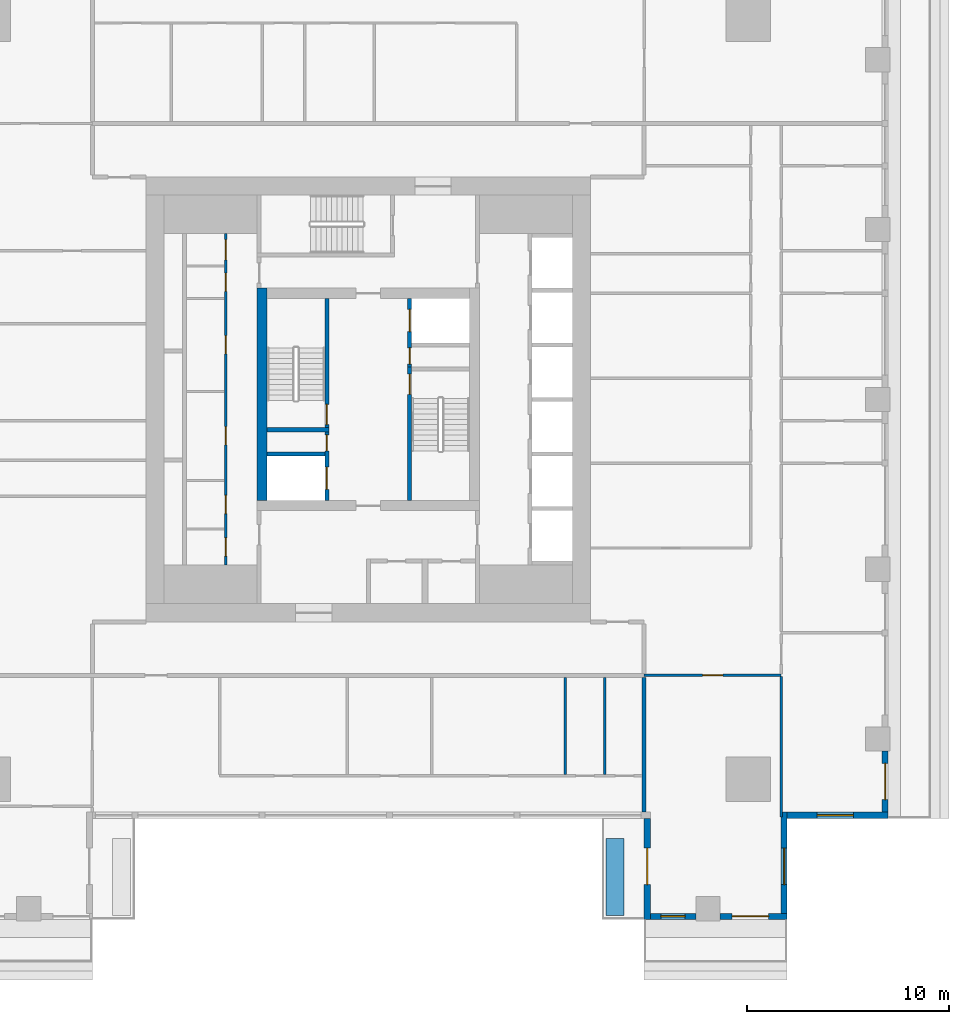
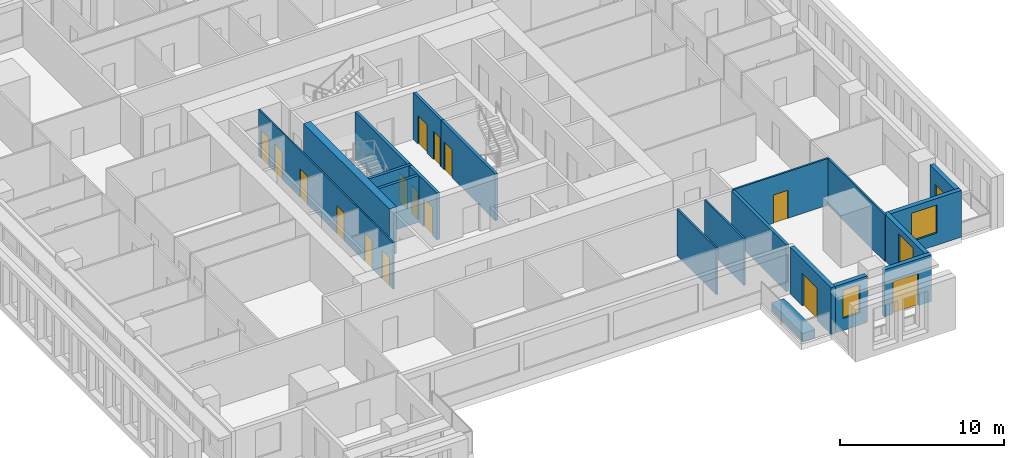
# One storey, part 4 of 14: 20 walls, 16 doors, 3 windows, 19 openings.
"""IFC4 building model written with IfcOpenShell, lengths in metres."""

from ifc_helpers import new_model, si_unit, direction, frame, frame_2d, origin, place, context, subcontext, project, spatial, rectangle, extrude, material, layer, layer_set, type_object, element, fill, save


model = new_model("IFC4")

# Units and contexts
model_context = context("Model", 3, precision=1e-05, world=origin(), true_north=direction((0.0, 1.0)))
body_context = subcontext(model_context, "Body", "Model", "MODEL_VIEW")
ifc_project = project(units=[si_unit("LENGTHUNIT", "METRE"), si_unit("AREAUNIT", "SQUARE_METRE"), si_unit("VOLUMEUNIT", "CUBIC_METRE"), si_unit("PLANEANGLEUNIT", "RADIAN"), si_unit("MASSUNIT", "GRAM", prefix="KILO")], contexts=[model_context])

# Site, building, storey
site_placement = place(None, origin())
site = spatial("IfcSite", under=ifc_project, at=site_placement, CompositionType="ELEMENT")
building_placement = place(site_placement, origin())
building = spatial("IfcBuilding", under=site, at=building_placement, Name="Khepri Terraces", CompositionType="ELEMENT")
storey_placement = place(building_placement, frame((0.0, 0.0, 279.60009765625)))
storey = spatial("IfcBuildingStorey", under=building, at=storey_placement, Name="L67", CompositionType="ELEMENT", Elevation=279.60009765625)

# Wall, opening, door
ifc_material_1 = material(Name="Concrete C40/50", Category="concrete")
ifc_layer_1 = layer(ifc_material_1, 0.199951171875, Name="Concrete C40/50", Category="concrete")
ifc_layer_set_1 = layer_set([ifc_layer_1], Name="Concrete C40/50")
wall_type_1 = type_object("IfcWallType", Name="Core wall 200 C40/50", PredefinedType="SHEAR", material=ifc_layer_set_1)
wall_1_placement = place(storey_placement, frame((2.050048828125, -5.0, 0.0), z_axis=(0.0, 0.0, 1.0), x_axis=(0.0, 1.0, 0.0)))
wall_1 = element("IfcWall", 1, at=wall_1_placement, inside=storey, type_object=wall_type_1, Name="Core wall ST01 L67", PredefinedType="SHEAR", context=body_context, shape_type="SweptSolid", body=[
    extrude(rectangle(XDim=6.60009765625, YDim=0.199951171875, at=frame_2d((3.300048828125, 0.0))), origin(), (0.0, 0.0, 1.0), 3.47998046875),
])
opening_1_placement = place(wall_1_placement, frame((5.25, 0.0, 0.0)))
opening_1 = element("IfcOpeningElement", 2, at=opening_1_placement, cuts=wall_1, Name="Opening L67-C10", PredefinedType="OPENING", context=body_context, shape_type="SweptSolid", body=[
    extrude(rectangle(XDim=1.0, YDim=2.10009765625, at=frame_2d((0.5, 1.050048828125))), frame((0.0, 0.10986328125, 0.0), z_axis=(0.0, -1.0, 0.0), x_axis=(1.0, 0.0, 0.0)), (0.0, 0.0, 1.0), 0.219970703125),
])
ifc_material_2 = material(Name="Painted steel", Category="steel")
door_type_1 = type_object("IfcDoorType", Name="DR-CORE-STAIR-1000", OperationType="NOTDEFINED", PredefinedType="DOOR", material=ifc_material_2)
door_1_placement = place(opening_1_placement, frame((1.0, 0.0, 0.0), z_axis=(0.0, 0.0, 1.0), x_axis=(-1.0, 0.0, 0.0)))
door_1 = element("IfcDoor", 3, at=door_1_placement, inside=storey, type_object=door_type_1, Name="Stair door L67-C10", OperationType="SINGLE_SWING_LEFT", OverallHeight=2.10009765625, OverallWidth=1.0, PredefinedType="DOOR", context=body_context, shape_type="SweptSolid", body=[
    extrude(rectangle(XDim=1.0, YDim=2.10009765625, at=frame_2d((0.5, 1.050048828125))), frame((0.0, 0.02490234375, 0.0), z_axis=(0.0, -1.0, 0.0), x_axis=(1.0, 0.0, 0.0)), (0.0, 0.0, 1.0), 0.050048828125),
])
fill(opening_1, door_1)

# Wall
wall_2_placement = place(storey_placement, frame((-5.0, -1.5, 0.0), z_axis=(0.0, 0.0, 1.0), x_axis=(1.0, 0.0, 0.0)))
element("IfcWall", 4, at=wall_2_placement, inside=storey, type_object=wall_type_1, Name="Core wall ST02 L67", PredefinedType="SHEAR", context=body_context, shape_type="SweptSolid", body=[
    extrude(rectangle(XDim=3.050048828125, YDim=0.199951171875, at=frame_2d((1.52490234375, 0.0))), origin(), (0.0, 0.0, 1.0), 3.47998046875),
])

# Wall, opening, door
wall_3_placement = place(storey_placement, frame((-2.050048828125, -1.39990234375, 0.0), z_axis=(0.0, 0.0, 1.0), x_axis=(0.0, 1.0, 0.0)))
wall_3 = element("IfcWall", 5, at=wall_3_placement, inside=storey, type_object=wall_type_1, Name="Core wall ST03 L67", PredefinedType="SHEAR", context=body_context, shape_type="SweptSolid", body=[
    extrude(rectangle(XDim=6.39990234375, YDim=0.199951171875, at=frame_2d((3.199951171875, 0.0))), origin(), (0.0, 0.0, 1.0), 3.47998046875),
])
opening_2_placement = place(wall_3_placement, frame((0.14990234375, 0.0, 0.0)))
opening_2 = element("IfcOpeningElement", 6, at=opening_2_placement, cuts=wall_3, Name="Opening L67-C09", PredefinedType="OPENING", context=body_context, shape_type="SweptSolid", body=[
    extrude(rectangle(XDim=1.0, YDim=2.10009765625, at=frame_2d((0.5, 1.050048828125))), frame((0.0, 0.10986328125, 0.0), z_axis=(0.0, -1.0, 0.0), x_axis=(1.0, 0.0, 0.0)), (0.0, 0.0, 1.0), 0.219970703125),
])
door_2_placement = place(opening_2_placement, origin())
door_2 = element("IfcDoor", 7, at=door_2_placement, inside=storey, type_object=door_type_1, Name="Stair door L67-C09", OperationType="SINGLE_SWING_LEFT", OverallHeight=2.10009765625, OverallWidth=1.0, PredefinedType="DOOR", context=body_context, shape_type="SweptSolid", body=[
    extrude(rectangle(XDim=1.0, YDim=2.10009765625, at=frame_2d((0.5, 1.050048828125))), frame((0.0, 0.02490234375, 0.0), z_axis=(0.0, -1.0, 0.0), x_axis=(1.0, 0.0, 0.0)), (0.0, 0.0, 1.0), 0.050048828125),
])
fill(opening_2, door_2)

# Wall, openings, doors
wall_4_placement = place(storey_placement, frame((-2.050048828125, -5.0, 0.0), z_axis=(0.0, 0.0, 1.0), x_axis=(0.0, 1.0, 0.0)))
wall_4 = element("IfcWall", 8, at=wall_4_placement, inside=storey, type_object=wall_type_1, Name="Core wall SH05 L67", PredefinedType="SHEAR", context=body_context, shape_type="SweptSolid", body=[
    extrude(rectangle(XDim=3.39990234375, YDim=0.199951171875, at=frame_2d((1.699951171875, 0.0))), origin(), (0.0, 0.0, 1.0), 3.47998046875),
])
opening_3_placement = place(wall_4_placement, frame((0.550048828125, 0.0, 0.0)))
opening_3 = element("IfcOpeningElement", 9, at=opening_3_placement, cuts=wall_4, Name="Opening L67-C08", PredefinedType="OPENING", context=body_context, shape_type="SweptSolid", body=[
    extrude(rectangle(XDim=1.10009765625, YDim=2.10009765625, at=frame_2d((0.550048828125, 1.050048828125))), frame((0.0, 0.10986328125, 0.0), z_axis=(0.0, -1.0, 0.0), x_axis=(1.0, 0.0, 0.0)), (0.0, 0.0, 1.0), 0.219970703125),
])
opening_4_placement = place(wall_4_placement, frame((2.449951171875, 0.0, 0.0)))
opening_4 = element("IfcOpeningElement", 10, at=opening_4_placement, cuts=wall_4, Name="Opening L67-C12", PredefinedType="OPENING", context=body_context, shape_type="SweptSolid", body=[
    extrude(rectangle(XDim=0.800048828125, YDim=2.10009765625, at=frame_2d((0.39990234375, 1.050048828125))), frame((0.0, 0.10986328125, 0.0), z_axis=(0.0, -1.0, 0.0), x_axis=(1.0, 0.0, 0.0)), (0.0, 0.0, 1.0), 0.219970703125),
])
ifc_material_3 = material(Name="Stainless steel 304", Category="steel")
door_type_2 = type_object("IfcDoorType", Name="DR-CORE-FF-LANDING-1100", OperationType="NOTDEFINED", PredefinedType="DOOR", material=ifc_material_3)
door_3_placement = place(opening_3_placement, origin())
door_3 = element("IfcDoor", 11, at=door_3_placement, inside=storey, type_object=door_type_2, Name="Firefighting lift landing door L67-C08", OperationType="SLIDING_TO_LEFT", OverallHeight=2.10009765625, OverallWidth=1.10009765625, PredefinedType="DOOR", context=body_context, shape_type="SweptSolid", body=[
    extrude(rectangle(XDim=1.10009765625, YDim=2.10009765625, at=frame_2d((0.550048828125, 1.050048828125))), frame((0.0, 0.02490234375, 0.0), z_axis=(0.0, -1.0, 0.0), x_axis=(1.0, 0.0, 0.0)), (0.0, 0.0, 1.0), 0.050048828125),
])
fill(opening_3, door_3)
door_type_3 = type_object("IfcDoorType", Name="DR-CORE-RISER-800", OperationType="NOTDEFINED", PredefinedType="DOOR", material=ifc_material_2)
door_4_placement = place(opening_4_placement, origin())
door_4 = element("IfcDoor", 12, at=door_4_placement, inside=storey, type_object=door_type_3, Name="Riser door L67-C12", OperationType="SINGLE_SWING_RIGHT", OverallHeight=2.10009765625, OverallWidth=0.800048828125, PredefinedType="DOOR", context=body_context, shape_type="SweptSolid", body=[
    extrude(rectangle(XDim=0.800048828125, YDim=2.10009765625, at=frame_2d((0.39990234375, 1.050048828125))), frame((0.0, 0.02490234375, 0.0), z_axis=(0.0, -1.0, 0.0), x_axis=(1.0, 0.0, 0.0)), (0.0, 0.0, 1.0), 0.050048828125),
])
fill(opening_4, door_4)

# Wall
wall_5_placement = place(storey_placement, frame((-5.0, -2.699951171875, 0.0), z_axis=(0.0, 0.0, 1.0), x_axis=(1.0, 0.0, 0.0)))
element("IfcWall", 13, at=wall_5_placement, inside=storey, type_object=wall_type_1, Name="Core wall SH07 L67", PredefinedType="SHEAR", context=body_context, shape_type="SweptSolid", body=[
    extrude(rectangle(XDim=2.85009765625, YDim=0.199951171875, at=frame_2d((1.425048828125, 0.0))), origin(), (0.0, 0.0, 1.0), 3.47998046875),
])

# Wall, openings, doors
wall_6_placement = place(storey_placement, frame((2.050048828125, 1.60009765625, 0.0), z_axis=(0.0, 0.0, 1.0), x_axis=(0.0, 1.0, 0.0)))
wall_6 = element("IfcWall", 14, at=wall_6_placement, inside=storey, type_object=wall_type_1, Name="Core wall SH10 L67", PredefinedType="SHEAR", context=body_context, shape_type="SweptSolid", body=[
    extrude(rectangle(XDim=3.39990234375, YDim=0.199951171875, at=frame_2d((1.699951171875, 0.0))), origin(), (0.0, 0.0, 1.0), 3.47998046875),
])
opening_5_placement = place(wall_6_placement, frame((1.75, 0.0, 0.0)))
opening_5 = element("IfcOpeningElement", 15, at=opening_5_placement, cuts=wall_6, Name="Opening L67-C07", PredefinedType="OPENING", context=body_context, shape_type="SweptSolid", body=[
    extrude(rectangle(XDim=1.10009765625, YDim=2.10009765625, at=frame_2d((0.550048828125, 1.050048828125))), frame((0.0, 0.10986328125, 0.0), z_axis=(0.0, -1.0, 0.0), x_axis=(1.0, 0.0, 0.0)), (0.0, 0.0, 1.0), 0.219970703125),
])
opening_6_placement = place(wall_6_placement, frame((0.14990234375, 0.0, 0.0)))
opening_6 = element("IfcOpeningElement", 16, at=opening_6_placement, cuts=wall_6, Name="Opening L67-C11", PredefinedType="OPENING", context=body_context, shape_type="SweptSolid", body=[
    extrude(rectangle(XDim=0.800048828125, YDim=2.10009765625, at=frame_2d((0.39990234375, 1.050048828125))), frame((0.0, 0.10986328125, 0.0), z_axis=(0.0, -1.0, 0.0), x_axis=(1.0, 0.0, 0.0)), (0.0, 0.0, 1.0), 0.219970703125),
])
door_5_placement = place(opening_5_placement, origin())
door_5 = element("IfcDoor", 17, at=door_5_placement, inside=storey, type_object=door_type_2, Name="Firefighting lift landing door L67-C07", OperationType="SLIDING_TO_LEFT", OverallHeight=2.10009765625, OverallWidth=1.10009765625, PredefinedType="DOOR", context=body_context, shape_type="SweptSolid", body=[
    extrude(rectangle(XDim=1.10009765625, YDim=2.10009765625, at=frame_2d((0.550048828125, 1.050048828125))), frame((0.0, 0.02490234375, 0.0), z_axis=(0.0, -1.0, 0.0), x_axis=(1.0, 0.0, 0.0)), (0.0, 0.0, 1.0), 0.050048828125),
])
fill(opening_5, door_5)
door_6_placement = place(opening_6_placement, frame((0.800048828125, 0.0, 0.0), z_axis=(0.0, 0.0, 1.0), x_axis=(-1.0, 0.0, 0.0)))
door_6 = element("IfcDoor", 18, at=door_6_placement, inside=storey, type_object=door_type_3, Name="Riser door L67-C11", OperationType="SINGLE_SWING_RIGHT", OverallHeight=2.10009765625, OverallWidth=0.800048828125, PredefinedType="DOOR", context=body_context, shape_type="SweptSolid", body=[
    extrude(rectangle(XDim=0.800048828125, YDim=2.10009765625, at=frame_2d((0.39990234375, 1.050048828125))), frame((0.0, 0.02490234375, 0.0), z_axis=(0.0, -1.0, 0.0), x_axis=(1.0, 0.0, 0.0)), (0.0, 0.0, 1.0), 0.050048828125),
])
fill(opening_6, door_6)

# Wall
ifc_layer_2 = layer(ifc_material_1, 0.5, Name="Concrete C40/50", Category="concrete")
ifc_layer_set_2 = layer_set([ifc_layer_2], Name="Concrete C40/50")
wall_type_2 = type_object("IfcWallType", Name="Core wall 500 C40/50", PredefinedType="SHEAR", material=ifc_layer_set_2)
wall_7_placement = place(storey_placement, frame((-5.25, -5.0, 0.0), z_axis=(0.0, 0.0, 1.0), x_axis=(0.0, 1.0, 0.0)))
element("IfcWall", 19, at=wall_7_placement, inside=storey, type_object=wall_type_2, Name="Core wall BX02 L67", PredefinedType="SHEAR", context=body_context, shape_type="SweptSolid", body=[
    extrude(rectangle(XDim=10.5, YDim=0.5, at=frame_2d((5.25, 0.0))), origin(), (0.0, 0.0, 1.0), 3.47998046875),
])

# Wall, openings, doors
ifc_material_4 = material(Name="Fire-rated gypsum board partition")
ifc_layer_3 = layer(ifc_material_4, 0.10009765625, Name="Fire-rated gypsum board partition")
ifc_layer_set_3 = layer_set([ifc_layer_3], Name="Fire-rated gypsum board partition")
wall_type_3 = type_object("IfcWallType", Name="WL-CORE-PART-100", PredefinedType="PARTITIONING", material=ifc_layer_set_3)
wall_8_placement = place(storey_placement, frame((-7.050048828125, -8.199951171875, 0.0), z_axis=(0.0, 0.0, 1.0), x_axis=(0.0, 1.0, 0.0)))
wall_8 = element("IfcWall", 20, at=wall_8_placement, inside=storey, type_object=wall_type_3, Name="Core partition PT05 L67", PredefinedType="PARTITIONING", context=body_context, shape_type="SweptSolid", body=[
    extrude(rectangle(XDim=16.39990234375, YDim=0.10009765625, at=frame_2d((8.199951171875, 0.0))), origin(), (0.0, 0.0, 1.0), 3.47998046875),
])
opening_7_placement = place(wall_8_placement, frame((0.449951171875, 0.0, 0.0)))
opening_7 = element("IfcOpeningElement", 21, at=opening_7_placement, cuts=wall_8, Name="Opening L67-C24", PredefinedType="OPENING", context=body_context, shape_type="SweptSolid", body=[
    extrude(rectangle(XDim=0.89990234375, YDim=2.10009765625, at=frame_2d((0.449951171875, 1.050048828125))), frame((0.0, 0.06005859375, 0.0), z_axis=(0.0, -1.0, 0.0), x_axis=(1.0, 0.0, 0.0)), (0.0, 0.0, 1.0), 0.1201171875),
])
opening_8_placement = place(wall_8_placement, frame((2.550048828125, 0.0, 0.0)))
opening_8 = element("IfcOpeningElement", 22, at=opening_8_placement, cuts=wall_8, Name="Opening L67-C25", PredefinedType="OPENING", context=body_context, shape_type="SweptSolid", body=[
    extrude(rectangle(XDim=0.89990234375, YDim=2.10009765625, at=frame_2d((0.449951171875, 1.050048828125))), frame((0.0, 0.06005859375, 0.0), z_axis=(0.0, -1.0, 0.0), x_axis=(1.0, 0.0, 0.0)), (0.0, 0.0, 1.0), 0.1201171875),
])
opening_9_placement = place(wall_8_placement, frame((5.949951171875, 0.0, 0.0)))
opening_9 = element("IfcOpeningElement", 23, at=opening_9_placement, cuts=wall_8, Name="Opening L67-C26", PredefinedType="OPENING", context=body_context, shape_type="SweptSolid", body=[
    extrude(rectangle(XDim=0.89990234375, YDim=2.10009765625, at=frame_2d((0.449951171875, 1.050048828125))), frame((0.0, 0.06005859375, 0.0), z_axis=(0.0, -1.0, 0.0), x_axis=(1.0, 0.0, 0.0)), (0.0, 0.0, 1.0), 0.1201171875),
])
opening_10_placement = place(wall_8_placement, frame((10.449951171875, 0.0, 0.0)))
opening_10 = element("IfcOpeningElement", 24, at=opening_10_placement, cuts=wall_8, Name="Opening L67-C27", PredefinedType="OPENING", context=body_context, shape_type="SweptSolid", body=[
    extrude(rectangle(XDim=0.89990234375, YDim=2.10009765625, at=frame_2d((0.449951171875, 1.050048828125))), frame((0.0, 0.06005859375, 0.0), z_axis=(0.0, -1.0, 0.0), x_axis=(1.0, 0.0, 0.0)), (0.0, 0.0, 1.0), 0.1201171875),
])
opening_11_placement = place(wall_8_placement, frame((13.550048828125, 0.0, 0.0)))
opening_11 = element("IfcOpeningElement", 25, at=opening_11_placement, cuts=wall_8, Name="Opening L67-C28", PredefinedType="OPENING", context=body_context, shape_type="SweptSolid", body=[
    extrude(rectangle(XDim=0.89990234375, YDim=2.10009765625, at=frame_2d((0.449951171875, 1.050048828125))), frame((0.0, 0.06005859375, 0.0), z_axis=(0.0, -1.0, 0.0), x_axis=(1.0, 0.0, 0.0)), (0.0, 0.0, 1.0), 0.1201171875),
])
opening_12_placement = place(wall_8_placement, frame((15.10009765625, 0.0, 0.0)))
opening_12 = element("IfcOpeningElement", 26, at=opening_12_placement, cuts=wall_8, Name="Opening L67-C29", PredefinedType="OPENING", context=body_context, shape_type="SweptSolid", body=[
    extrude(rectangle(XDim=1.0, YDim=2.10009765625, at=frame_2d((0.5, 1.050048828125))), frame((0.0, 0.06005859375, 0.0), z_axis=(0.0, -1.0, 0.0), x_axis=(1.0, 0.0, 0.0)), (0.0, 0.0, 1.0), 0.1201171875),
])
door_type_4 = type_object("IfcDoorType", Name="DR-CORE-SERVICE-900", OperationType="NOTDEFINED", PredefinedType="DOOR", material=ifc_material_2)
door_7_placement = place(opening_7_placement, origin())
door_7 = element("IfcDoor", 27, at=door_7_placement, inside=storey, type_object=door_type_4, Name="Service room door L67-C24", OperationType="SINGLE_SWING_LEFT", OverallHeight=2.10009765625, OverallWidth=0.89990234375, PredefinedType="DOOR", context=body_context, shape_type="SweptSolid", body=[
    extrude(rectangle(XDim=0.89990234375, YDim=2.10009765625, at=frame_2d((0.449951171875, 1.050048828125))), frame((0.0, 0.02490234375, 0.0), z_axis=(0.0, -1.0, 0.0), x_axis=(1.0, 0.0, 0.0)), (0.0, 0.0, 1.0), 0.050048828125),
])
fill(opening_7, door_7)
door_8_placement = place(opening_8_placement, origin())
door_8 = element("IfcDoor", 28, at=door_8_placement, inside=storey, type_object=door_type_4, Name="Service room door L67-C25", OperationType="SINGLE_SWING_LEFT", OverallHeight=2.10009765625, OverallWidth=0.89990234375, PredefinedType="DOOR", context=body_context, shape_type="SweptSolid", body=[
    extrude(rectangle(XDim=0.89990234375, YDim=2.10009765625, at=frame_2d((0.449951171875, 1.050048828125))), frame((0.0, 0.02490234375, 0.0), z_axis=(0.0, -1.0, 0.0), x_axis=(1.0, 0.0, 0.0)), (0.0, 0.0, 1.0), 0.050048828125),
])
fill(opening_8, door_8)
door_9_placement = place(opening_9_placement, origin())
door_9 = element("IfcDoor", 29, at=door_9_placement, inside=storey, type_object=door_type_4, Name="Service room door L67-C26", OperationType="SINGLE_SWING_LEFT", OverallHeight=2.10009765625, OverallWidth=0.89990234375, PredefinedType="DOOR", context=body_context, shape_type="SweptSolid", body=[
    extrude(rectangle(XDim=0.89990234375, YDim=2.10009765625, at=frame_2d((0.449951171875, 1.050048828125))), frame((0.0, 0.02490234375, 0.0), z_axis=(0.0, -1.0, 0.0), x_axis=(1.0, 0.0, 0.0)), (0.0, 0.0, 1.0), 0.050048828125),
])
fill(opening_9, door_9)
door_10_placement = place(opening_10_placement, origin())
door_10 = element("IfcDoor", 30, at=door_10_placement, inside=storey, type_object=door_type_4, Name="Service room door L67-C27", OperationType="SINGLE_SWING_RIGHT", OverallHeight=2.10009765625, OverallWidth=0.89990234375, PredefinedType="DOOR", context=body_context, shape_type="SweptSolid", body=[
    extrude(rectangle(XDim=0.89990234375, YDim=2.10009765625, at=frame_2d((0.449951171875, 1.050048828125))), frame((0.0, 0.02490234375, 0.0), z_axis=(0.0, -1.0, 0.0), x_axis=(1.0, 0.0, 0.0)), (0.0, 0.0, 1.0), 0.050048828125),
])
fill(opening_10, door_10)
door_11_placement = place(opening_11_placement, origin())
door_11 = element("IfcDoor", 31, at=door_11_placement, inside=storey, type_object=door_type_4, Name="Service room door L67-C28", OperationType="SINGLE_SWING_RIGHT", OverallHeight=2.10009765625, OverallWidth=0.89990234375, PredefinedType="DOOR", context=body_context, shape_type="SweptSolid", body=[
    extrude(rectangle(XDim=0.89990234375, YDim=2.10009765625, at=frame_2d((0.449951171875, 1.050048828125))), frame((0.0, 0.02490234375, 0.0), z_axis=(0.0, -1.0, 0.0), x_axis=(1.0, 0.0, 0.0)), (0.0, 0.0, 1.0), 0.050048828125),
])
fill(opening_11, door_11)
ifc_material_5 = material(Name="Timber veneer", Category="wood")
door_type_5 = type_object("IfcDoorType", Name="DR-CORE-WC-1000", OperationType="NOTDEFINED", PredefinedType="DOOR", material=ifc_material_5)
door_12_placement = place(opening_12_placement, origin())
door_12 = element("IfcDoor", 32, at=door_12_placement, inside=storey, type_object=door_type_5, Name="WC door L67-C29", OperationType="SINGLE_SWING_RIGHT", OverallHeight=2.10009765625, OverallWidth=1.0, PredefinedType="DOOR", context=body_context, shape_type="SweptSolid", body=[
    extrude(rectangle(XDim=1.0, YDim=2.10009765625, at=frame_2d((0.5, 1.050048828125))), frame((0.0, 0.02490234375, 0.0), z_axis=(0.0, -1.0, 0.0), x_axis=(1.0, 0.0, 0.0)), (0.0, 0.0, 1.0), 0.050048828125),
])
fill(opening_12, door_12)

# Wall
ifc_material_6 = material(Name="Fire-rated gypsum plasterboard partition, mineral wool")
ifc_layer_4 = layer(ifc_material_6, 0.199951171875, Name="Fire-rated gypsum plasterboard partition, mineral wool")
ifc_layer_set_4 = layer_set([ifc_layer_4], Name="Fire-rated gypsum plasterboard partition, mineral wool")
wall_type_4 = type_object("IfcWallType", Name="WL-CORR-200", PredefinedType="PARTITIONING", material=ifc_layer_set_4)
wall_9_placement = place(storey_placement, frame((13.64990234375, -20.419921875, 0.0), z_axis=(0.0, 0.0, 1.0), x_axis=(0.0, 1.0, 0.0)))
element("IfcWall", 33, at=wall_9_placement, inside=storey, type_object=wall_type_4, Name="Partition P-003 L67", PredefinedType="PARTITIONING", context=body_context, shape_type="SweptSolid", body=[
    extrude(rectangle(XDim=6.669921875, YDim=0.199951171875, at=frame_2d((3.3349609375, 0.0))), origin(), (0.0, 0.0, 1.0), 3.47998046875),
])

# Wall, opening, window
ifc_material_7 = material(Name="Precast concrete C50/60 warm stone", Category="masonry")
ifc_layer_5 = layer(ifc_material_7, 0.300048828125, Name="Precast concrete C50/60 warm stone", Category="masonry")
ifc_layer_set_5 = layer_set([ifc_layer_5], Name="Precast concrete C50/60 warm stone")
wall_type_5 = type_object("IfcWallType", Name="WL-EXT-PRECAST-300", PredefinedType="STANDARD", material=ifc_layer_set_5)
wall_10_placement = place(storey_placement, frame((20.719970703125, -20.570068359375, 0.0), z_axis=(0.0, 0.0, 1.0), x_axis=(1.0, 0.0, 0.0)))
wall_10 = element("IfcWall", 34, at=wall_10_placement, inside=storey, type_object=wall_type_5, Name="External wall L67 S", PredefinedType="STANDARD", context=body_context, shape_type="SweptSolid", body=[
    extrude(rectangle(XDim=5.0, YDim=0.300048828125, at=frame_2d((2.5, 0.0))), origin(), (0.0, 0.0, 1.0), 3.47998046875),
])
opening_13_placement = place(wall_10_placement, frame((1.47998046875, 0.0, 0.89990234375)))
opening_13 = element("IfcOpeningElement", 35, at=opening_13_placement, cuts=wall_10, Name="Opening W1", PredefinedType="OPENING", context=body_context, shape_type="SweptSolid", body=[
    extrude(rectangle(XDim=1.800048828125, YDim=2.10009765625, at=frame_2d((0.89990234375, 1.050048828125))), frame((0.0, 0.16015625, 0.0), z_axis=(0.0, -1.0, 0.0), x_axis=(1.0, 0.0, 0.0)), (0.0, 0.0, 1.0), 0.320068359375),
])
ifc_material_8 = material(Name="Clear glass", Category="glass")
window_type_1 = type_object("IfcWindowType", Name="WIN-RES-1800x2100", PartitioningType="SINGLE_PANEL", PredefinedType="WINDOW", material=ifc_material_8)
window_1_placement = place(opening_13_placement, origin())
window_1 = element("IfcWindow", 36, at=window_1_placement, inside=storey, type_object=window_type_1, Name="Window L67 S", OverallHeight=2.10009765625, OverallWidth=1.800048828125, PartitioningType="SINGLE_PANEL", PredefinedType="WINDOW", context=body_context, shape_type="SweptSolid", body=[
    extrude(rectangle(XDim=1.800048828125, YDim=2.10009765625, at=frame_2d((0.89990234375, 1.050048828125))), frame((0.0, 0.030029296875, 0.0), z_axis=(0.0, -1.0, 0.0), x_axis=(1.0, 0.0, 0.0)), (0.0, 0.0, 1.0), 0.06005859375),
])
fill(opening_13, window_1)

# Wall, opening, door
wall_11_placement = place(storey_placement, frame((25.570068359375, -20.419921875, 0.0), z_axis=(0.0, 0.0, 1.0), x_axis=(0.0, 1.0, 0.0)))
wall_11 = element("IfcWall", 37, at=wall_11_placement, inside=storey, type_object=wall_type_5, Name="External wall L67 E", PredefinedType="STANDARD", context=body_context, shape_type="SweptSolid", body=[
    extrude(rectangle(XDim=3.02001953125, YDim=0.300048828125, at=frame_2d((1.510009765625, 0.0))), origin(), (0.0, 0.0, 1.0), 3.47998046875),
])
opening_14_placement = place(wall_11_placement, frame((0.6201171875, 0.0, 0.0)))
opening_14 = element("IfcOpeningElement", 38, at=opening_14_placement, cuts=wall_11, Name="Opening ED-L67-01", PredefinedType="OPENING", context=body_context, shape_type="SweptSolid", body=[
    extrude(rectangle(XDim=1.800048828125, YDim=2.39990234375, at=frame_2d((0.89990234375, 1.199951171875))), frame((0.0, 0.16015625, 0.0), z_axis=(0.0, -1.0, 0.0), x_axis=(1.0, 0.0, 0.0)), (0.0, 0.0, 1.0), 0.320068359375),
])
ifc_material_9 = material(Name="Anodised aluminium bronze glazed door", Category="aluminium")
door_type_6 = type_object("IfcDoorType", Name="DR-BAL-SLIDE-1800x2400", OperationType="NOTDEFINED", PredefinedType="DOOR", material=ifc_material_9)
door_13_placement = place(opening_14_placement, origin())
door_13 = element("IfcDoor", 39, at=door_13_placement, inside=storey, type_object=door_type_6, Name="Balcony door L67 E", OperationType="SLIDING_TO_RIGHT", OverallHeight=2.39990234375, OverallWidth=1.800048828125, PredefinedType="DOOR", context=body_context, shape_type="SweptSolid", body=[
    extrude(rectangle(XDim=1.800048828125, YDim=2.39990234375, at=frame_2d((0.89990234375, 1.199951171875))), frame((0.0, 0.02490234375, 0.0), z_axis=(0.0, -1.0, 0.0), x_axis=(1.0, 0.0, 0.0)), (0.0, 0.0, 1.0), 0.050048828125),
])
fill(opening_14, door_13)

wall_12_placement = place(storey_placement, frame((13.800048828125, -20.719970703125, 0.0), z_axis=(0.0, 0.0, 1.0), x_axis=(0.0, -1.0, 0.0)))
wall_12 = element("IfcWall", 40, at=wall_12_placement, inside=storey, type_object=wall_type_5, Name="External wall L67 W", PredefinedType="STANDARD", context=body_context, shape_type="SweptSolid", body=[
    extrude(rectangle(XDim=5.0, YDim=0.300048828125, at=frame_2d((2.5, 0.0))), origin(), (0.0, 0.0, 1.0), 3.47998046875),
])
opening_15_placement = place(wall_12_placement, frame((1.47998046875, 0.0, 0.0)))
opening_15 = element("IfcOpeningElement", 41, at=opening_15_placement, cuts=wall_12, Name="Opening ED-L67-14", PredefinedType="OPENING", context=body_context, shape_type="SweptSolid", body=[
    extrude(rectangle(XDim=1.800048828125, YDim=2.39990234375, at=frame_2d((0.89990234375, 1.199951171875))), frame((0.0, 0.16015625, 0.0), z_axis=(0.0, -1.0, 0.0), x_axis=(1.0, 0.0, 0.0)), (0.0, 0.0, 1.0), 0.320068359375),
])
door_14_placement = place(opening_15_placement, origin())
door_14 = element("IfcDoor", 42, at=door_14_placement, inside=storey, type_object=door_type_6, Name="Balcony door L67 W", OperationType="SLIDING_TO_RIGHT", OverallHeight=2.39990234375, OverallWidth=1.800048828125, PredefinedType="DOOR", context=body_context, shape_type="SweptSolid", body=[
    extrude(rectangle(XDim=1.800048828125, YDim=2.39990234375, at=frame_2d((0.89990234375, 1.199951171875))), frame((0.0, 0.02490234375, 0.0), z_axis=(0.0, -1.0, 0.0), x_axis=(1.0, 0.0, 0.0)), (0.0, 0.0, 1.0), 0.050048828125),
])
fill(opening_15, door_14)

# Wall, opening, window
wall_13_placement = place(storey_placement, frame((13.949951171875, -25.570068359375, 0.0), z_axis=(0.0, 0.0, 1.0), x_axis=(1.0, 0.0, 0.0)))
wall_13 = element("IfcWall", 43, at=wall_13_placement, inside=storey, type_object=wall_type_5, Name="External wall L67 S", PredefinedType="STANDARD", context=body_context, shape_type="SweptSolid", body=[
    extrude(rectangle(XDim=2.25, YDim=0.300048828125, at=frame_2d((1.125, 0.0))), origin(), (0.0, 0.0, 1.0), 3.47998046875),
])
opening_16_placement = place(wall_13_placement, frame((0.52490234375, 0.0, 0.89990234375)))
opening_16 = element("IfcOpeningElement", 44, at=opening_16_placement, cuts=wall_13, Name="Opening W4", PredefinedType="OPENING", context=body_context, shape_type="SweptSolid", body=[
    extrude(rectangle(XDim=1.199951171875, YDim=2.10009765625, at=frame_2d((0.60009765625, 1.050048828125))), frame((0.0, 0.16015625, 0.0), z_axis=(0.0, -1.0, 0.0), x_axis=(1.0, 0.0, 0.0)), (0.0, 0.0, 1.0), 0.320068359375),
])
window_type_2 = type_object("IfcWindowType", Name="WIN-RES-1200x2100", PartitioningType="SINGLE_PANEL", PredefinedType="WINDOW", material=ifc_material_8)
window_2_placement = place(opening_16_placement, origin())
window_2 = element("IfcWindow", 45, at=window_2_placement, inside=storey, type_object=window_type_2, Name="Window L67 S", OverallHeight=2.10009765625, OverallWidth=1.199951171875, PartitioningType="SINGLE_PANEL", PredefinedType="WINDOW", context=body_context, shape_type="SweptSolid", body=[
    extrude(rectangle(XDim=1.199951171875, YDim=2.10009765625, at=frame_2d((0.60009765625, 1.050048828125))), frame((0.0, 0.030029296875, 0.0), z_axis=(0.0, -1.0, 0.0), x_axis=(1.0, 0.0, 0.0)), (0.0, 0.0, 1.0), 0.06005859375),
])
fill(opening_16, window_2)

# Wall, opening, door
wall_14_placement = place(storey_placement, frame((17.39990234375, -25.570068359375, 0.0), z_axis=(0.0, 0.0, 1.0), x_axis=(1.0, 0.0, 0.0)))
wall_14 = element("IfcWall", 46, at=wall_14_placement, inside=storey, type_object=wall_type_5, Name="External wall L67 S", PredefinedType="STANDARD", context=body_context, shape_type="SweptSolid", body=[
    extrude(rectangle(XDim=3.320068359375, YDim=0.300048828125, at=frame_2d((1.66015625, 0.0))), origin(), (0.0, 0.0, 1.0), 3.47998046875),
])
opening_17_placement = place(wall_14_placement, frame((0.60009765625, 0.0, 0.0)))
opening_17 = element("IfcOpeningElement", 47, at=opening_17_placement, cuts=wall_14, Name="Opening ED-L67-15", PredefinedType="OPENING", context=body_context, shape_type="SweptSolid", body=[
    extrude(rectangle(XDim=1.800048828125, YDim=2.39990234375, at=frame_2d((0.89990234375, 1.199951171875))), frame((0.0, 0.16015625, 0.0), z_axis=(0.0, -1.0, 0.0), x_axis=(1.0, 0.0, 0.0)), (0.0, 0.0, 1.0), 0.320068359375),
])
door_15_placement = place(opening_17_placement, origin())
door_15 = element("IfcDoor", 48, at=door_15_placement, inside=storey, type_object=door_type_6, Name="Balcony door L67 S", OperationType="SLIDING_TO_LEFT", OverallHeight=2.39990234375, OverallWidth=1.800048828125, PredefinedType="DOOR", context=body_context, shape_type="SweptSolid", body=[
    extrude(rectangle(XDim=1.800048828125, YDim=2.39990234375, at=frame_2d((0.89990234375, 1.199951171875))), frame((0.0, 0.02490234375, 0.0), z_axis=(0.0, -1.0, 0.0), x_axis=(1.0, 0.0, 0.0)), (0.0, 0.0, 1.0), 0.050048828125),
])
fill(opening_17, door_15)

# Wall, opening, window
wall_15_placement = place(storey_placement, frame((20.570068359375, -25.419921875, 0.0), z_axis=(0.0, 0.0, 1.0), x_axis=(0.0, 1.0, 0.0)))
wall_15 = element("IfcWall", 49, at=wall_15_placement, inside=storey, type_object=wall_type_5, Name="External wall L67 E", PredefinedType="STANDARD", context=body_context, shape_type="SweptSolid", body=[
    extrude(rectangle(XDim=5.0, YDim=0.300048828125, at=frame_2d((2.5, 0.0))), origin(), (0.0, 0.0, 1.0), 3.47998046875),
])
opening_18_placement = place(wall_15_placement, frame((1.419921875, 0.0, 0.89990234375)))
opening_18 = element("IfcOpeningElement", 50, at=opening_18_placement, cuts=wall_15, Name="Opening W1", PredefinedType="OPENING", context=body_context, shape_type="SweptSolid", body=[
    extrude(rectangle(XDim=1.800048828125, YDim=2.10009765625, at=frame_2d((0.89990234375, 1.050048828125))), frame((0.0, 0.16015625, 0.0), z_axis=(0.0, -1.0, 0.0), x_axis=(1.0, 0.0, 0.0)), (0.0, 0.0, 1.0), 0.320068359375),
])
window_3_placement = place(opening_18_placement, origin())
window_3 = element("IfcWindow", 51, at=window_3_placement, inside=storey, type_object=window_type_1, Name="Window L67 E", OverallHeight=2.10009765625, OverallWidth=1.800048828125, PartitioningType="SINGLE_PANEL", PredefinedType="WINDOW", context=body_context, shape_type="SweptSolid", body=[
    extrude(rectangle(XDim=1.800048828125, YDim=2.10009765625, at=frame_2d((0.89990234375, 1.050048828125))), frame((0.0, 0.030029296875, 0.0), z_axis=(0.0, -1.0, 0.0), x_axis=(1.0, 0.0, 0.0)), (0.0, 0.0, 1.0), 0.06005859375),
])
fill(opening_18, window_3)

# Walls
ifc_material_10 = material(Name="Gypsum plasterboard partition")
ifc_layer_6 = layer(ifc_material_10, 0.1201171875, Name="Gypsum plasterboard partition")
ifc_layer_set_6 = layer_set([ifc_layer_6], Name="Gypsum plasterboard partition")
wall_type_6 = type_object("IfcWallType", Name="WL-PART-120", PredefinedType="PARTITIONING", material=ifc_layer_set_6)
wall_16_placement = place(storey_placement, frame((20.419921875, -20.658935546875, 0.0), z_axis=(0.0, 0.0, 1.0), x_axis=(0.0, 1.0, 0.0)))
element("IfcWall", 52, at=wall_16_placement, inside=storey, type_object=wall_type_6, Name="Partition P-005 L67", PredefinedType="PARTITIONING", context=body_context, shape_type="SweptSolid", body=[
    extrude(rectangle(XDim=6.948974609375, YDim=0.1201171875, at=frame_2d((3.474609375, 0.0))), origin(), (0.0, 0.0, 1.0), 3.47998046875),
])
for number, where, z_axis, x_axis, name in (
    (53, (9.75, -18.56005859375, 0.0), (0.0, 0.0, 1.0), (0.0, 1.0, 0.0), "Partition P-012 L67"),
    (54, (11.699951171875, -18.56005859375, 0.0), (0.0, 0.0, 1.0), (0.0, 1.0, 0.0), "Partition P-013 L67"),
):
    element("IfcWall", number, at=place(storey_placement, frame(where, z_axis=z_axis, x_axis=x_axis)), inside=storey, type_object=wall_type_6, Name=name, PredefinedType="PARTITIONING", context=body_context, shape_type="SweptSolid", body=[
        extrude(rectangle(XDim=4.81005859375, YDim=0.1201171875, at=frame_2d((2.405029296875, 0.0))), origin(), (0.0, 0.0, 1.0), 3.47998046875),
    ])

# Wall, opening, door
wall_17_placement = place(storey_placement, frame((13.64990234375, -13.64990234375, 0.0), z_axis=(0.0, 0.0, 1.0), x_axis=(1.0, 0.0, 0.0)))
wall_17 = element("IfcWall", 55, at=wall_17_placement, inside=storey, type_object=wall_type_6, Name="Partition P-015 L67", PredefinedType="PARTITIONING", context=body_context, shape_type="SweptSolid", body=[
    extrude(rectangle(XDim=6.77001953125, YDim=0.1201171875, at=frame_2d((3.385009765625, 0.0))), origin(), (0.0, 0.0, 1.0), 3.47998046875),
])
opening_19_placement = place(wall_17_placement, frame((2.885009765625, 0.0, 0.0)))
opening_19 = element("IfcOpeningElement", 56, at=opening_19_placement, cuts=wall_17, Name="Opening D2", PredefinedType="OPENING", context=body_context, shape_type="SweptSolid", body=[
    extrude(rectangle(XDim=1.0, YDim=2.10009765625, at=frame_2d((0.5, 1.050048828125))), frame((0.0, 0.070068359375, 0.0), z_axis=(0.0, -1.0, 0.0), x_axis=(1.0, 0.0, 0.0)), (0.0, 0.0, 1.0), 0.14013671875),
])
ifc_material_11 = material(Name="Timber door leaf, living room door", Category="wood")
door_type_7 = type_object("IfcDoorType", Name="DR-INT-1000", OperationType="NOTDEFINED", PredefinedType="DOOR", material=ifc_material_11)
door_16_placement = place(opening_19_placement, frame((1.0, 0.0, 0.0), z_axis=(0.0, 0.0, 1.0), x_axis=(-1.0, 0.0, 0.0)))
door_16 = element("IfcDoor", 57, at=door_16_placement, inside=storey, type_object=door_type_7, Name="Door Family Room", OperationType="SINGLE_SWING_RIGHT", OverallHeight=2.10009765625, OverallWidth=1.0, PredefinedType="DOOR", context=body_context, shape_type="SweptSolid", body=[
    extrude(rectangle(XDim=1.0, YDim=2.10009765625, at=frame_2d((0.5, 1.050048828125))), frame((0.0, 0.02490234375, 0.0), z_axis=(0.0, -1.0, 0.0), x_axis=(1.0, 0.0, 0.0)), (0.0, 0.0, 1.0), 0.050048828125),
])
fill(opening_19, door_16)

# Wall
ifc_layer_7 = layer(ifc_material_7, 0.89990234375, Name="Precast concrete C50/60 warm stone", Category="masonry")
ifc_layer_set_7 = layer_set([ifc_layer_7], Name="Precast concrete C50/60 warm stone")
wall_type_7 = type_object("IfcWallType", Name="WL-PLANTER-900", PredefinedType="MOVABLE", material=ifc_layer_set_7)
wall_18_placement = place(storey_placement, frame((12.199951171875, -25.52001953125, 0.0), z_axis=(0.0, 0.0, 1.0), x_axis=(0.0, 1.0, 0.0)))
element("IfcWall", 58, at=wall_18_placement, inside=storey, type_object=wall_type_7, Name="Planter L67", PredefinedType="MOVABLE", context=body_context, shape_type="SweptSolid", body=[
    extrude(rectangle(XDim=3.800048828125, YDim=0.89990234375, at=frame_2d((1.89990234375, 0.0))), origin(), (0.0, 0.0, 1.0), 0.599853515625),
])

save(model, "model.ifc")
